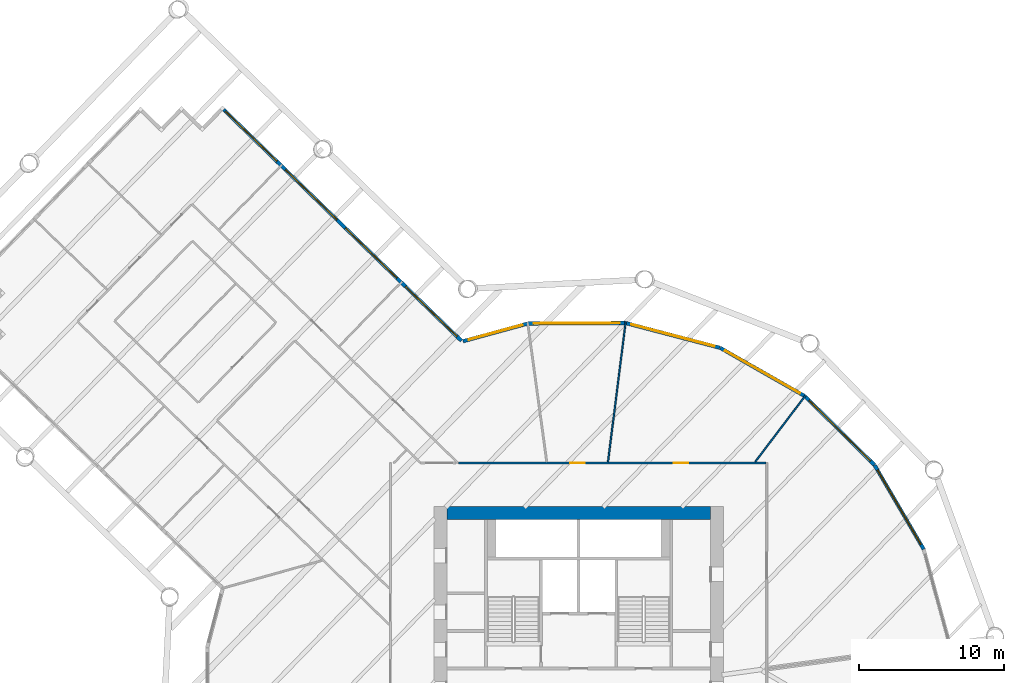
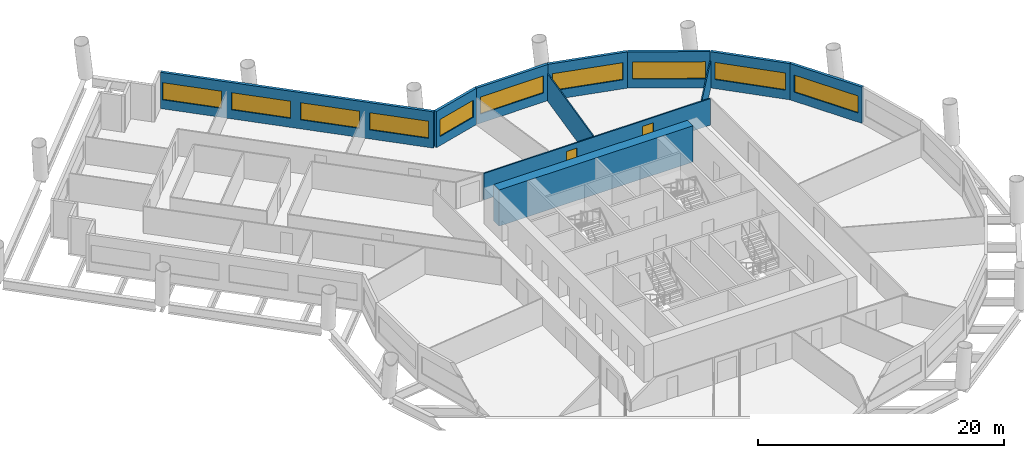
# One storey, part 7 of 12: 11 walls, 10 windows, 2 doors, 12 openings.
"""IFC4 building model written with IfcOpenShell, lengths in metres."""

from ifc_helpers import new_model, si_unit, direction, frame, frame_2d, origin, place, context, subcontext, project, spatial, rectangle, extrude, material, layer, layer_set, type_object, element, fill, save


model = new_model("IFC4")

# Units and contexts
model_context = context("Model", 3, precision=1e-05, world=origin(), true_north=direction((0.0, 1.0)))
body_context = subcontext(model_context, "Body", "Model", "MODEL_VIEW")
ifc_project = project(units=[si_unit("LENGTHUNIT", "METRE"), si_unit("AREAUNIT", "SQUARE_METRE"), si_unit("VOLUMEUNIT", "CUBIC_METRE"), si_unit("PLANEANGLEUNIT", "RADIAN"), si_unit("MASSUNIT", "GRAM", prefix="KILO")], contexts=[model_context])

# Site, building, storey
site_placement = place(None, origin())
site = spatial("IfcSite", under=ifc_project, at=site_placement, CompositionType="ELEMENT")
building_placement = place(site_placement, origin())
building = spatial("IfcBuilding", under=site, at=building_placement, Name="Tarsis Ring Headquarters", CompositionType="ELEMENT")
storey_placement = place(building_placement, frame((0.0, 0.0, 82.89990234375)))
storey = spatial("IfcBuildingStorey", under=building, at=storey_placement, Name="L18", CompositionType="ELEMENT", Elevation=82.89990234375)

# Walls
ifc_material_1 = material(Name="Concrete C60/75", Category="concrete")
ifc_layer_1 = layer(ifc_material_1, 0.89990234375)
ifc_layer_set_1 = layer_set([ifc_layer_1], Name="Core wall 900 C60/75")
wall_type_1 = type_object("IfcWallType", Name="Core wall 900 C60/75", PredefinedType="SHEAR", material=ifc_layer_set_1)
wall_1_placement = place(storey_placement, frame((-9.10009765625, 12.550048828125, 0.0), z_axis=(0.0, 0.0, 1.0), x_axis=(1.0, 0.0, 0.0)))
element("IfcWall", 1, at=wall_1_placement, inside=storey, type_object=wall_type_1, Name="Core wall ON", PredefinedType="SHEAR", context=body_context, shape_type="SweptSolid", body=[
    extrude(rectangle(XDim=18.2001953125, YDim=0.89990234375, at=frame_2d((9.10009765625, 0.0))), origin(), (0.0, 0.0, 1.0), 3.60009765625),
])
ifc_material_2 = material(Name="Gypsum board on steel studs", Category="steel")
ifc_layer_2 = layer(ifc_material_2, 0.10009765625)
ifc_layer_set_2 = layer_set([ifc_layer_2], Name="FL partition 100 unrated")
wall_type_2 = type_object("IfcWallType", Name="FL partition 100 unrated", PredefinedType="PARTITIONING", material=ifc_layer_set_2)
wall_2_placement = place(storey_placement, frame((2.030029296875, 16.0693359375, 0.0), z_axis=(0.0, 0.0, 1.0), x_axis=(0.125341235965, 0.992113690343, 0.0)))
element("IfcWall", 2, at=wall_2_placement, inside=storey, type_object=wall_type_2, Name="Partition PW3", PredefinedType="PARTITIONING", context=body_context, shape_type="SweptSolid", body=[
    extrude(rectangle(XDim=9.750732421875, YDim=0.10009765625, at=frame_2d((4.87548828125, 0.0))), origin(), (0.0, 0.0, 1.0), 2.7001953125),
])
wall_3_placement = place(storey_placement, frame((12.205078125, 16.07958984375, 0.0), z_axis=(0.0, 0.0, 1.0), x_axis=(0.604594235165, 0.796533621893, 0.0)))
element("IfcWall", 3, at=wall_3_placement, inside=storey, type_object=wall_type_2, Name="Partition PW3", PredefinedType="PARTITIONING", context=body_context, shape_type="SweptSolid", body=[
    extrude(rectangle(XDim=5.7607421875, YDim=0.10009765625, at=frame_2d((2.88037109375, 0.0))), origin(), (0.0, 0.0, 1.0), 2.7001953125),
])

# Wall, openings, doors
ifc_layer_3 = layer(ifc_material_2, 0.125)
ifc_layer_set_3 = layer_set([ifc_layer_3], Name="FL partition 125 EI 60 H2630")
wall_type_3 = type_object("IfcWallType", Name="FL partition 125 EI 60 H2630", PredefinedType="PARTITIONING", material=ifc_layer_set_3)
wall_4_placement = place(storey_placement, frame((-8.291015625, 16.0, 0.0), z_axis=(0.0, 0.0, 1.0), x_axis=(1.0, 0.0, 0.0)))
wall_4 = element("IfcWall", 4, at=wall_4_placement, inside=storey, type_object=wall_type_3, Name="Partition PW1H263", PredefinedType="PARTITIONING", context=body_context, shape_type="SweptSolid", body=[
    extrude(rectangle(XDim=21.23095703125, YDim=0.125, at=frame_2d((10.615478515625, 0.0))), origin(), (0.0, 0.0, 1.0), 2.630126953125),
])
opening_1_placement = place(wall_4_placement, frame((7.705810546875, 0.0, 0.0)))
opening_1 = element("IfcOpeningElement", 5, at=opening_1_placement, cuts=wall_4, Name="Opening D18.06", PredefinedType="OPENING", context=body_context, shape_type="SweptSolid", body=[
    extrude(rectangle(XDim=1.0, YDim=2.10009765625, at=frame_2d((0.5, 1.050048828125))), frame((0.0, 0.072509765625, 0.0), z_axis=(0.0, -1.0, 0.0), x_axis=(1.0, 0.0, 0.0)), (0.0, 0.0, 1.0), 0.14501953125),
])
opening_2_placement = place(wall_4_placement, frame((14.8740234375, 0.0, 0.0)))
opening_2 = element("IfcOpeningElement", 6, at=opening_2_placement, cuts=wall_4, Name="Opening D18.07", PredefinedType="OPENING", context=body_context, shape_type="SweptSolid", body=[
    extrude(rectangle(XDim=1.0, YDim=2.10009765625, at=frame_2d((0.5, 1.050048828125))), frame((0.0, 0.072509765625, 0.0), z_axis=(0.0, -1.0, 0.0), x_axis=(1.0, 0.0, 0.0)), (0.0, 0.0, 1.0), 0.14501953125),
])
ifc_material_3 = material(Name="Fire-rated timber door leaf in steel frame", Category="steel")
door_type = type_object("IfcDoorType", Name="FL door FD60-1000", OperationType="NOTDEFINED", PredefinedType="DOOR", material=ifc_material_3)
door_1_placement = place(opening_1_placement, origin())
door_1 = element("IfcDoor", 7, at=door_1_placement, inside=storey, type_object=door_type, Name="Door D18.06", OperationType="SINGLE_SWING_RIGHT", OverallHeight=2.10009765625, OverallWidth=1.0, PredefinedType="DOOR", context=body_context, shape_type="SweptSolid", body=[
    extrude(rectangle(XDim=1.0, YDim=2.10009765625, at=frame_2d((0.5, 1.050048828125))), frame((0.0, 0.02490234375, 0.0), z_axis=(0.0, -1.0, 0.0), x_axis=(1.0, 0.0, 0.0)), (0.0, 0.0, 1.0), 0.050048828125),
])
fill(opening_1, door_1)
door_2_placement = place(opening_2_placement, origin())
door_2 = element("IfcDoor", 8, at=door_2_placement, inside=storey, type_object=door_type, Name="Door D18.07", OperationType="SINGLE_SWING_LEFT", OverallHeight=2.10009765625, OverallWidth=1.0, PredefinedType="DOOR", context=body_context, shape_type="SweptSolid", body=[
    extrude(rectangle(XDim=1.0, YDim=2.10009765625, at=frame_2d((0.5, 1.050048828125))), frame((0.0, 0.02490234375, 0.0), z_axis=(0.0, -1.0, 0.0), x_axis=(1.0, 0.0, 0.0)), (0.0, 0.0, 1.0), 0.050048828125),
])
fill(opening_2, door_2)

# Wall, opening, window
ifc_material_4 = material(Name="Terracotta clad insulated panel wall", Category="masonry")
ifc_layer_4 = layer(ifc_material_4, 0.25)
ifc_layer_set_4 = layer_set([ifc_layer_4], Name="Facade wall terracotta panel 250")
wall_type_4 = type_object("IfcWallType", Name="Facade wall terracotta panel 250", PredefinedType="STANDARD", material=ifc_layer_set_4)
wall_5_placement = place(storey_placement, frame((23.843994140625, 10.040771484375, 0.0), z_axis=(0.0, 0.0, 1.0), x_axis=(-0.504552899392, 0.863380780256, 0.0)))
wall_5 = element("IfcWall", 9, at=wall_5_placement, inside=storey, type_object=wall_type_4, Name="External wall L18-25", PredefinedType="STANDARD", context=body_context, shape_type="SweptSolid", body=[
    extrude(rectangle(XDim=6.721435546875, YDim=0.25, at=frame_2d((3.36083984375, 0.0))), origin(), (0.0, 0.0, 1.0), 3.60009765625),
])
opening_3_placement = place(wall_5_placement, frame((0.3857421875, 0.0, 0.89990234375)))
opening_3 = element("IfcOpeningElement", 10, at=opening_3_placement, cuts=wall_5, Name="Opening WN07", PredefinedType="OPENING", context=body_context, shape_type="SweptSolid", body=[
    extrude(rectangle(XDim=5.949951171875, YDim=1.699951171875, at=frame_2d((2.97509765625, 0.85009765625))), frame((0.0, 0.135009765625, 0.0), z_axis=(0.0, -1.0, 0.0), x_axis=(1.0, 0.0, 0.0)), (0.0, 0.0, 1.0), 0.27001953125),
])
ifc_material_5 = material(Name="Aluminium framed double glazing", Category="aluminium")
window_type_1 = type_object("IfcWindowType", Name="Facade window 5950 x 1700", PartitioningType="SINGLE_PANEL", PredefinedType="WINDOW", material=ifc_material_5)
window_1_placement = place(opening_3_placement, origin())
window_1 = element("IfcWindow", 11, at=window_1_placement, inside=storey, type_object=window_type_1, Name="Window L18-25.1", OverallHeight=1.699951171875, OverallWidth=5.949951171875, PartitioningType="SINGLE_PANEL", PredefinedType="WINDOW", context=body_context, shape_type="SweptSolid", body=[
    extrude(rectangle(XDim=5.949951171875, YDim=1.699951171875, at=frame_2d((2.97509765625, 0.85009765625))), frame((0.0, 0.030029296875, 0.0), z_axis=(0.0, -1.0, 0.0), x_axis=(1.0, 0.0, 0.0)), (0.0, 0.0, 1.0), 0.06005859375),
])
fill(opening_3, window_1)

wall_6_placement = place(storey_placement, frame((20.4326171875, 15.869873046875, 0.0), z_axis=(0.0, 0.0, 1.0), x_axis=(-0.710802006514, 0.703392143499, 0.0)))
wall_6 = element("IfcWall", 12, at=wall_6_placement, inside=storey, type_object=wall_type_4, Name="External wall L18-26", PredefinedType="STANDARD", context=body_context, shape_type="SweptSolid", body=[
    extrude(rectangle(XDim=6.721435546875, YDim=0.25, at=frame_2d((3.36083984375, 0.0))), origin(), (0.0, 0.0, 1.0), 3.60009765625),
])
opening_4_placement = place(wall_6_placement, frame((0.3857421875, 0.0, 0.89990234375)))
opening_4 = element("IfcOpeningElement", 13, at=opening_4_placement, cuts=wall_6, Name="Opening WN07", PredefinedType="OPENING", context=body_context, shape_type="SweptSolid", body=[
    extrude(rectangle(XDim=5.949951171875, YDim=1.699951171875, at=frame_2d((2.97509765625, 0.85009765625))), frame((0.0, 0.135009765625, 0.0), z_axis=(0.0, -1.0, 0.0), x_axis=(1.0, 0.0, 0.0)), (0.0, 0.0, 1.0), 0.27001953125),
])
window_2_placement = place(opening_4_placement, origin())
window_2 = element("IfcWindow", 14, at=window_2_placement, inside=storey, type_object=window_type_1, Name="Window L18-26.1", OverallHeight=1.699951171875, OverallWidth=5.949951171875, PartitioningType="SINGLE_PANEL", PredefinedType="WINDOW", context=body_context, shape_type="SweptSolid", body=[
    extrude(rectangle(XDim=5.949951171875, YDim=1.699951171875, at=frame_2d((2.97509765625, 0.85009765625))), frame((0.0, 0.030029296875, 0.0), z_axis=(0.0, -1.0, 0.0), x_axis=(1.0, 0.0, 0.0)), (0.0, 0.0, 1.0), 0.06005859375),
])
fill(opening_4, window_2)

wall_7_placement = place(storey_placement, frame((15.629150390625, 20.617431640625, 0.0), z_axis=(0.0, 0.0, 1.0), x_axis=(-0.868629563093, 0.49546208949, 0.0)))
wall_7 = element("IfcWall", 15, at=wall_7_placement, inside=storey, type_object=wall_type_4, Name="External wall L18-27", PredefinedType="STANDARD", context=body_context, shape_type="SweptSolid", body=[
    extrude(rectangle(XDim=6.7216796875, YDim=0.25, at=frame_2d((3.36083984375, 0.0))), origin(), (0.0, 0.0, 1.0), 3.60009765625),
])
opening_5_placement = place(wall_7_placement, frame((0.3857421875, 0.0, 0.89990234375)))
opening_5 = element("IfcOpeningElement", 16, at=opening_5_placement, cuts=wall_7, Name="Opening WN07", PredefinedType="OPENING", context=body_context, shape_type="SweptSolid", body=[
    extrude(rectangle(XDim=5.949951171875, YDim=1.699951171875, at=frame_2d((2.97509765625, 0.85009765625))), frame((0.0, 0.135009765625, 0.0), z_axis=(0.0, -1.0, 0.0), x_axis=(1.0, 0.0, 0.0)), (0.0, 0.0, 1.0), 0.27001953125),
])
window_3_placement = place(opening_5_placement, origin())
window_3 = element("IfcWindow", 17, at=window_3_placement, inside=storey, type_object=window_type_1, Name="Window L18-27.1", OverallHeight=1.699951171875, OverallWidth=5.949951171875, PartitioningType="SINGLE_PANEL", PredefinedType="WINDOW", context=body_context, shape_type="SweptSolid", body=[
    extrude(rectangle(XDim=5.949951171875, YDim=1.699951171875, at=frame_2d((2.97509765625, 0.85009765625))), frame((0.0, 0.030029296875, 0.0), z_axis=(0.0, -1.0, 0.0), x_axis=(1.0, 0.0, 0.0)), (0.0, 0.0, 1.0), 0.06005859375),
])
fill(opening_5, window_3)

wall_8_placement = place(storey_placement, frame((9.76025390625, 23.9599609375, 0.0), z_axis=(0.0, 0.0, 1.0), x_axis=(-0.967261063398, 0.253783441606, 0.0)))
wall_8 = element("IfcWall", 18, at=wall_8_placement, inside=storey, type_object=wall_type_4, Name="External wall L18-28", PredefinedType="STANDARD", context=body_context, shape_type="SweptSolid", body=[
    extrude(rectangle(XDim=6.721435546875, YDim=0.25, at=frame_2d((3.36083984375, 0.0))), origin(), (0.0, 0.0, 1.0), 3.60009765625),
])
opening_6_placement = place(wall_8_placement, frame((0.3857421875, 0.0, 0.89990234375)))
opening_6 = element("IfcOpeningElement", 19, at=opening_6_placement, cuts=wall_8, Name="Opening WN07", PredefinedType="OPENING", context=body_context, shape_type="SweptSolid", body=[
    extrude(rectangle(XDim=5.949951171875, YDim=1.699951171875, at=frame_2d((2.97509765625, 0.85009765625))), frame((0.0, 0.135009765625, 0.0), z_axis=(0.0, -1.0, 0.0), x_axis=(1.0, 0.0, 0.0)), (0.0, 0.0, 1.0), 0.27001953125),
])
window_4_placement = place(opening_6_placement, origin())
window_4 = element("IfcWindow", 20, at=window_4_placement, inside=storey, type_object=window_type_1, Name="Window L18-28.1", OverallHeight=1.699951171875, OverallWidth=5.949951171875, PartitioningType="SINGLE_PANEL", PredefinedType="WINDOW", context=body_context, shape_type="SweptSolid", body=[
    extrude(rectangle(XDim=5.949951171875, YDim=1.699951171875, at=frame_2d((2.97509765625, 0.85009765625))), frame((0.0, 0.030029296875, 0.0), z_axis=(0.0, -1.0, 0.0), x_axis=(1.0, 0.0, 0.0)), (0.0, 0.0, 1.0), 0.06005859375),
])
fill(opening_6, window_4)

wall_9_placement = place(storey_placement, frame((3.226318359375, 25.669921875, 0.0), z_axis=(0.0, 0.0, 1.0), x_axis=(-0.999986130749, -0.005266717117, 0.0)))
wall_9 = element("IfcWall", 21, at=wall_9_placement, inside=storey, type_object=wall_type_4, Name="External wall L18-29", PredefinedType="STANDARD", context=body_context, shape_type="SweptSolid", body=[
    extrude(rectangle(XDim=6.721435546875, YDim=0.25, at=frame_2d((3.36083984375, 0.0))), origin(), (0.0, 0.0, 1.0), 3.60009765625),
])
opening_7_placement = place(wall_9_placement, frame((0.3857421875, 0.0, 0.89990234375)))
opening_7 = element("IfcOpeningElement", 22, at=opening_7_placement, cuts=wall_9, Name="Opening WN07", PredefinedType="OPENING", context=body_context, shape_type="SweptSolid", body=[
    extrude(rectangle(XDim=5.949951171875, YDim=1.699951171875, at=frame_2d((2.97509765625, 0.85009765625))), frame((0.0, 0.135009765625, 0.0), z_axis=(0.0, -1.0, 0.0), x_axis=(1.0, 0.0, 0.0)), (0.0, 0.0, 1.0), 0.27001953125),
])
window_5_placement = place(opening_7_placement, origin())
window_5 = element("IfcWindow", 23, at=window_5_placement, inside=storey, type_object=window_type_1, Name="Window L18-29.1", OverallHeight=1.699951171875, OverallWidth=5.949951171875, PartitioningType="SINGLE_PANEL", PredefinedType="WINDOW", context=body_context, shape_type="SweptSolid", body=[
    extrude(rectangle(XDim=5.949951171875, YDim=1.699951171875, at=frame_2d((2.97509765625, 0.85009765625))), frame((0.0, 0.030029296875, 0.0), z_axis=(0.0, -1.0, 0.0), x_axis=(1.0, 0.0, 0.0)), (0.0, 0.0, 1.0), 0.06005859375),
])
fill(opening_7, window_5)

wall_10_placement = place(storey_placement, frame((-3.52734375, 25.630126953125, 0.0), z_axis=(0.0, 0.0, 1.0), x_axis=(-0.964557332632, -0.26387336369, 0.0)))
wall_10 = element("IfcWall", 24, at=wall_10_placement, inside=storey, type_object=wall_type_4, Name="External wall L18-30", PredefinedType="STANDARD", context=body_context, shape_type="SweptSolid", body=[
    extrude(rectangle(XDim=4.61767578125, YDim=0.25, at=frame_2d((2.308837890625, 0.0))), origin(), (0.0, 0.0, 1.0), 3.60009765625),
])
opening_8_placement = place(wall_10_placement, frame((0.367431640625, 0.0, 0.89990234375)))
opening_8 = element("IfcOpeningElement", 25, at=opening_8_placement, cuts=wall_10, Name="Opening WN02", PredefinedType="OPENING", context=body_context, shape_type="SweptSolid", body=[
    extrude(rectangle(XDim=3.85009765625, YDim=1.699951171875, at=frame_2d((1.925048828125, 0.85009765625))), frame((0.0, 0.135009765625, 0.0), z_axis=(0.0, -1.0, 0.0), x_axis=(1.0, 0.0, 0.0)), (0.0, 0.0, 1.0), 0.27001953125),
])
window_type_2 = type_object("IfcWindowType", Name="Facade window 3850 x 1700", PartitioningType="SINGLE_PANEL", PredefinedType="WINDOW", material=ifc_material_5)
window_6_placement = place(opening_8_placement, origin())
window_6 = element("IfcWindow", 26, at=window_6_placement, inside=storey, type_object=window_type_2, Name="Window L18-30.1", OverallHeight=1.699951171875, OverallWidth=3.85009765625, PartitioningType="SINGLE_PANEL", PredefinedType="WINDOW", context=body_context, shape_type="SweptSolid", body=[
    extrude(rectangle(XDim=3.85009765625, YDim=1.699951171875, at=frame_2d((1.925048828125, 0.85009765625))), frame((0.0, 0.030029296875, 0.0), z_axis=(0.0, -1.0, 0.0), x_axis=(1.0, 0.0, 0.0)), (0.0, 0.0, 1.0), 0.06005859375),
])
fill(opening_8, window_6)

# Wall, openings, windows
wall_11_placement = place(storey_placement, frame((-8.1015625, 24.442626953125, 0.0), z_axis=(0.0, 0.0, 1.0), x_axis=(-0.716909515075, 0.697166226373, 0.0)))
wall_11 = element("IfcWall", 27, at=wall_11_placement, inside=storey, type_object=wall_type_4, Name="External wall L18-31", PredefinedType="STANDARD", context=body_context, shape_type="SweptSolid", body=[
    extrude(rectangle(XDim=22.9013671875, YDim=0.25, at=frame_2d((11.45068359375, 0.0))), origin(), (0.0, 0.0, 1.0), 3.60009765625),
])
opening_9_placement = place(wall_11_placement, frame((0.4189453125, 0.0, 0.89990234375)))
opening_9 = element("IfcOpeningElement", 28, at=opening_9_placement, cuts=wall_11, Name="Opening WN05", PredefinedType="OPENING", context=body_context, shape_type="SweptSolid", body=[
    extrude(rectangle(XDim=4.949951171875, YDim=1.699951171875, at=frame_2d((2.47509765625, 0.85009765625))), frame((0.0, 0.135009765625, 0.0), z_axis=(0.0, -1.0, 0.0), x_axis=(1.0, 0.0, 0.0)), (0.0, 0.0, 1.0), 0.27001953125),
])
opening_10_placement = place(wall_11_placement, frame((6.206787109375, 0.0, 0.89990234375)))
opening_10 = element("IfcOpeningElement", 29, at=opening_10_placement, cuts=wall_11, Name="Opening WN05", PredefinedType="OPENING", context=body_context, shape_type="SweptSolid", body=[
    extrude(rectangle(XDim=4.949951171875, YDim=1.699951171875, at=frame_2d((2.47509765625, 0.85009765625))), frame((0.0, 0.135009765625, 0.0), z_axis=(0.0, -1.0, 0.0), x_axis=(1.0, 0.0, 0.0)), (0.0, 0.0, 1.0), 0.27001953125),
])
opening_11_placement = place(wall_11_placement, frame((11.99462890625, 0.0, 0.89990234375)))
opening_11 = element("IfcOpeningElement", 30, at=opening_11_placement, cuts=wall_11, Name="Opening WN05", PredefinedType="OPENING", context=body_context, shape_type="SweptSolid", body=[
    extrude(rectangle(XDim=4.949951171875, YDim=1.699951171875, at=frame_2d((2.47509765625, 0.85009765625))), frame((0.0, 0.135009765625, 0.0), z_axis=(0.0, -1.0, 0.0), x_axis=(1.0, 0.0, 0.0)), (0.0, 0.0, 1.0), 0.27001953125),
])
opening_12_placement = place(wall_11_placement, frame((17.782470703125, 0.0, 0.89990234375)))
opening_12 = element("IfcOpeningElement", 31, at=opening_12_placement, cuts=wall_11, Name="Opening WN05", PredefinedType="OPENING", context=body_context, shape_type="SweptSolid", body=[
    extrude(rectangle(XDim=4.949951171875, YDim=1.699951171875, at=frame_2d((2.47509765625, 0.85009765625))), frame((0.0, 0.135009765625, 0.0), z_axis=(0.0, -1.0, 0.0), x_axis=(1.0, 0.0, 0.0)), (0.0, 0.0, 1.0), 0.27001953125),
])
window_type_3 = type_object("IfcWindowType", Name="Facade window 4950 x 1700", PartitioningType="SINGLE_PANEL", PredefinedType="WINDOW", material=ifc_material_5)
window_7_placement = place(opening_9_placement, origin())
window_7 = element("IfcWindow", 32, at=window_7_placement, inside=storey, type_object=window_type_3, Name="Window L18-31.1", OverallHeight=1.699951171875, OverallWidth=4.949951171875, PartitioningType="SINGLE_PANEL", PredefinedType="WINDOW", context=body_context, shape_type="SweptSolid", body=[
    extrude(rectangle(XDim=4.949951171875, YDim=1.699951171875, at=frame_2d((2.47509765625, 0.85009765625))), frame((0.0, 0.030029296875, 0.0), z_axis=(0.0, -1.0, 0.0), x_axis=(1.0, 0.0, 0.0)), (0.0, 0.0, 1.0), 0.06005859375),
])
fill(opening_9, window_7)
window_8_placement = place(opening_10_placement, origin())
window_8 = element("IfcWindow", 33, at=window_8_placement, inside=storey, type_object=window_type_3, Name="Window L18-31.2", OverallHeight=1.699951171875, OverallWidth=4.949951171875, PartitioningType="SINGLE_PANEL", PredefinedType="WINDOW", context=body_context, shape_type="SweptSolid", body=[
    extrude(rectangle(XDim=4.949951171875, YDim=1.699951171875, at=frame_2d((2.47509765625, 0.85009765625))), frame((0.0, 0.030029296875, 0.0), z_axis=(0.0, -1.0, 0.0), x_axis=(1.0, 0.0, 0.0)), (0.0, 0.0, 1.0), 0.06005859375),
])
fill(opening_10, window_8)
window_9_placement = place(opening_11_placement, origin())
window_9 = element("IfcWindow", 34, at=window_9_placement, inside=storey, type_object=window_type_3, Name="Window L18-31.3", OverallHeight=1.699951171875, OverallWidth=4.949951171875, PartitioningType="SINGLE_PANEL", PredefinedType="WINDOW", context=body_context, shape_type="SweptSolid", body=[
    extrude(rectangle(XDim=4.949951171875, YDim=1.699951171875, at=frame_2d((2.47509765625, 0.85009765625))), frame((0.0, 0.030029296875, 0.0), z_axis=(0.0, -1.0, 0.0), x_axis=(1.0, 0.0, 0.0)), (0.0, 0.0, 1.0), 0.06005859375),
])
fill(opening_11, window_9)
window_10_placement = place(opening_12_placement, origin())
window_10 = element("IfcWindow", 35, at=window_10_placement, inside=storey, type_object=window_type_3, Name="Window L18-31.4", OverallHeight=1.699951171875, OverallWidth=4.949951171875, PartitioningType="SINGLE_PANEL", PredefinedType="WINDOW", context=body_context, shape_type="SweptSolid", body=[
    extrude(rectangle(XDim=4.949951171875, YDim=1.699951171875, at=frame_2d((2.47509765625, 0.85009765625))), frame((0.0, 0.030029296875, 0.0), z_axis=(0.0, -1.0, 0.0), x_axis=(1.0, 0.0, 0.0)), (0.0, 0.0, 1.0), 0.06005859375),
])
fill(opening_12, window_10)

save(model, "model.ifc")
